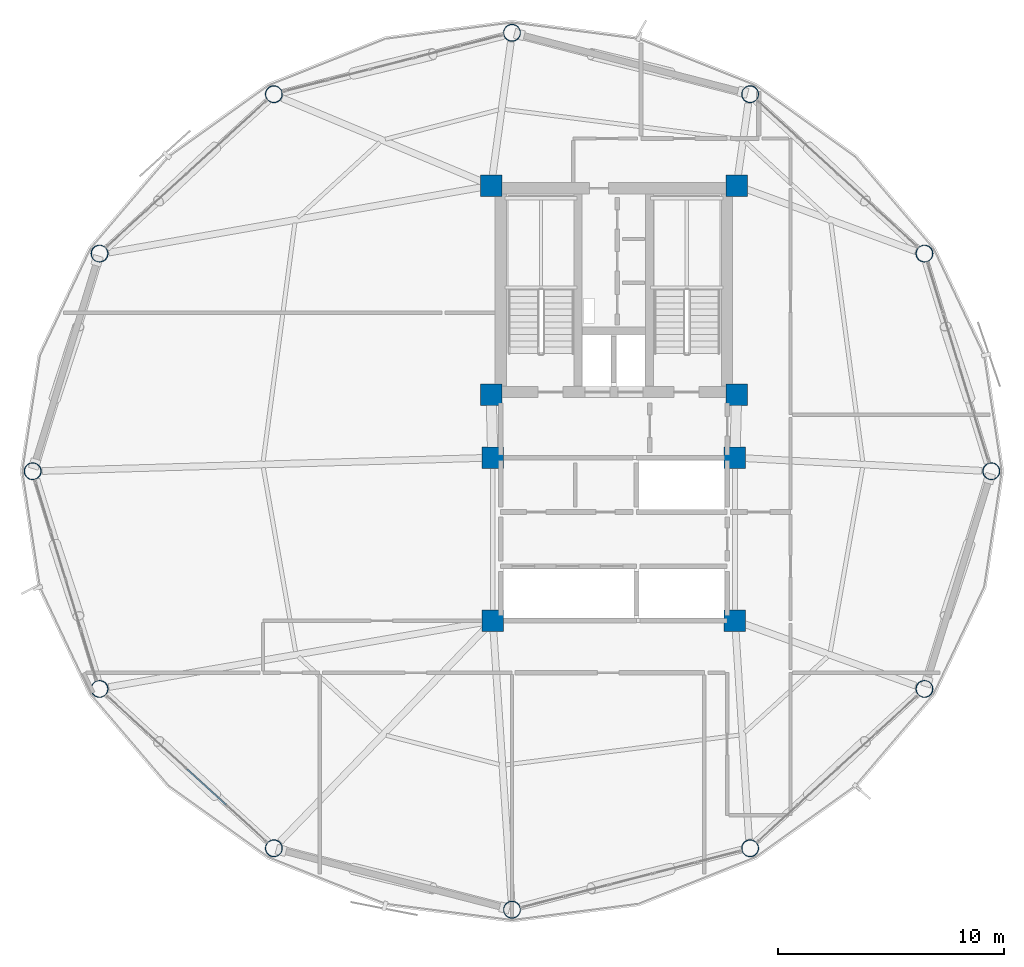
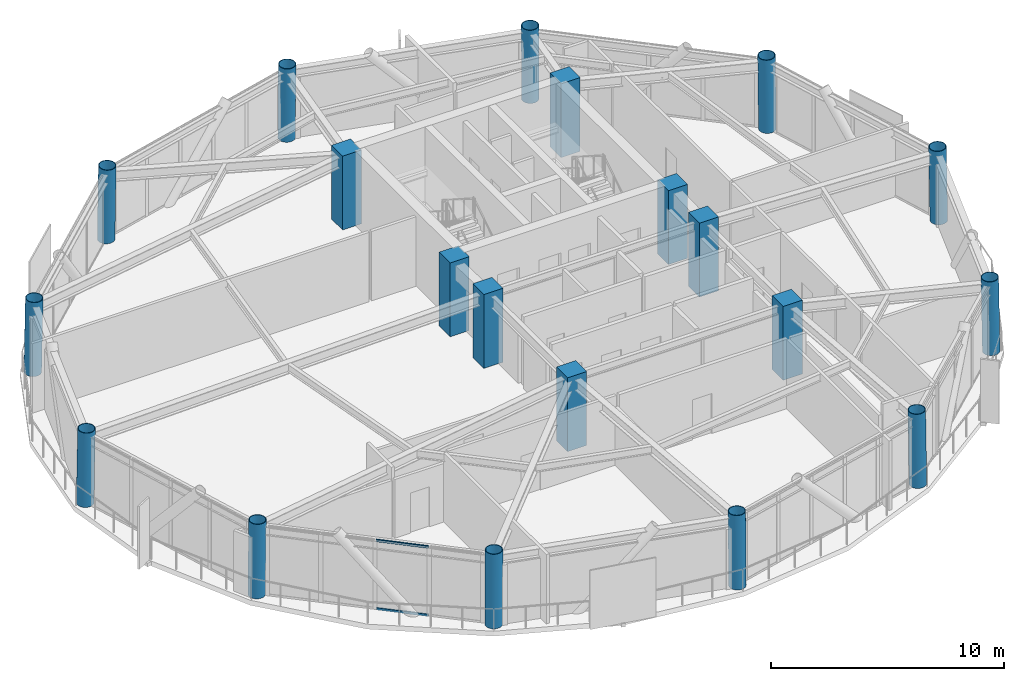
# One storey, part 1 of 25: 20 columns, 2 members, 1 element without a shape of its own.
"""IFC4 building model written with IfcOpenShell, lengths in metres."""

import ifcopenshell
import ifcopenshell.guid

model = None  # the IFC model being written
_history = None  # IfcOwnerHistory: only IFC2X3 demands one
_inside = {}  # id of a spatial element -> (the spatial element, [elements in it])
_under = {}  # id of a project, library or spatial element -> (it, [spatial elements below it])
_declared = {}  # id of a project -> (the project, [libraries it declares])
_typed = {}  # id of a type object -> (the type object, [elements of that type])
_made_of = {}  # id of a material, layer set ... -> (it, [elements and type objects made of it])


def new_model(schema):
    """Start an empty IFC model of exactly this schema.

    Asked for "IFC4X3", IfcOpenShell would pick the latest addendum, in which some entities
    have other attributes; the version numbers below select the first issue.
    IFC2X3 requires an IfcOwnerHistory on every rooted entity: one is made here for all.
    """
    global model, _history
    if schema == "IFC4X3":
        model = ifcopenshell.file(schema_version=(4, 3, 0, 0))
    else:
        model = ifcopenshell.file(schema=schema)
    _inside.clear()
    _under.clear()
    _declared.clear()
    _typed.clear()
    _made_of.clear()
    _history = None
    if model.schema == "IFC2X3":
        org = make("IfcOrganization", Name="unknown")
        user = make(
            "IfcPersonAndOrganization",
            ThePerson=make("IfcPerson", FamilyName="unknown"),
            TheOrganization=org,
        )
        app = make(
            "IfcApplication",
            ApplicationDeveloper=org,
            Version="unknown",
            ApplicationFullName="unknown",
            ApplicationIdentifier="unknown",
        )
        _history = make(
            "IfcOwnerHistory",
            OwningUser=user,
            OwningApplication=app,
            ChangeAction="ADDED",
            CreationDate=0,
        )
    return model


def make(cls, **values):
    """One entity of the class cls with the attributes given. An attribute that is None is left unset."""
    return model.create_entity(
        cls, **{name: value for name, value in values.items() if value is not None}
    )


def rooted(cls, **values):
    """An entity with a GlobalId (a new one), such as an element, a storey or a relation."""
    return make(cls, GlobalId=ifcopenshell.guid.new(), OwnerHistory=_history, **values)


def si_unit(unit_type, name, prefix=None):
    """IfcSIUnit, for example si_unit("LENGTHUNIT", "METRE", prefix="MILLI")."""
    return make("IfcSIUnit", UnitType=unit_type, Prefix=prefix, Name=name)


def assignment(units):
    """IfcUnitAssignment: the units of a project."""
    return None if units is None else make("IfcUnitAssignment", Units=units)


def point(xyz):
    """IfcCartesianPoint."""
    return None if xyz is None else make("IfcCartesianPoint", Coordinates=xyz)


def direction(xyz):
    """IfcDirection."""
    return None if xyz is None else make("IfcDirection", DirectionRatios=xyz)


def frame(location, z_axis=None, x_axis=None):
    """IfcAxis2Placement3D, a coordinate frame: its origin and axes. An axis left out is left unset."""
    return make(
        "IfcAxis2Placement3D",
        Location=point(location),
        Axis=direction(z_axis),
        RefDirection=direction(x_axis),
    )


def frame_2d(location, x_axis=None):
    """IfcAxis2Placement2D, a coordinate frame in the plane: its origin and x axis."""
    return make(
        "IfcAxis2Placement2D", Location=point(location), RefDirection=direction(x_axis)
    )


def origin():
    """The frame at (0, 0, 0) with its axes left unset."""
    return frame((0.0, 0.0, 0.0))


def origin_2d():
    """The frame at (0, 0) in the plane with its x axis left unset."""
    return frame_2d((0.0, 0.0))


def place(relative_to, where):
    """IfcLocalPlacement: puts the frame where relative to a parent placement (None: the world)."""
    return make(
        "IfcLocalPlacement", PlacementRelTo=relative_to, RelativePlacement=where
    )


def context(
    kind, dimensions, precision=None, world=None, true_north=None, identifier=None
):
    """IfcGeometricRepresentationContext, for example the 3D "Model" context."""
    return make(
        "IfcGeometricRepresentationContext",
        ContextIdentifier=identifier,
        ContextType=kind,
        CoordinateSpaceDimension=dimensions,
        Precision=precision,
        WorldCoordinateSystem=world,
        TrueNorth=true_north,
    )


def subcontext(parent, identifier, kind, view, scale=None):
    """IfcGeometricRepresentationSubContext, for example "Body" below "Model"."""
    return make(
        "IfcGeometricRepresentationSubContext",
        ContextIdentifier=identifier,
        ContextType=kind,
        ParentContext=parent,
        TargetScale=scale,
        TargetView=view,
    )


def project(units=None, contexts=None):
    """IfcProject with its units and contexts."""
    return rooted(
        "IfcProject",
        Name="project",
        RepresentationContexts=contexts,
        UnitsInContext=assignment(units),
    )


def spatial(cls, under=None, at=None, **own):
    """A site, building, storey or space (cls), placed at a placement, below another one or the project."""
    s = rooted(cls, ObjectPlacement=at, **own)
    if under is not None:
        _under.setdefault(under.id(), (under, []))[1].append(s)
    return s


def profile(cls, at=None, kind="AREA", **sizes):
    """A parametric profile (cls). Its sizes go by their IFC names, for example OverallWidth=200.0."""
    return make(cls, ProfileType=kind, Position=at, **sizes)


def rectangle(**sizes):
    """IfcRectangleProfileDef."""
    return profile("IfcRectangleProfileDef", **sizes)


def hollow_rectangle(**sizes):
    """IfcRectangleHollowProfileDef."""
    return profile("IfcRectangleHollowProfileDef", **sizes)


def hollow_circle(**sizes):
    """IfcCircleHollowProfileDef."""
    return profile("IfcCircleHollowProfileDef", **sizes)


def extrude(swept, where, along, depth):
    """IfcExtrudedAreaSolid: the profile swept, set in the frame where, extruded along a direction by depth."""
    return make(
        "IfcExtrudedAreaSolid",
        SweptArea=swept,
        Position=where,
        ExtrudedDirection=direction(along),
        Depth=depth,
    )


def shape(context_of_items, identifier, shape_type, items):
    """IfcShapeRepresentation: the items that make up one representation, for example the "Body"."""
    return make(
        "IfcShapeRepresentation",
        ContextOfItems=context_of_items,
        RepresentationIdentifier=identifier,
        RepresentationType=shape_type,
        Items=items,
    )


def material(Name=None, Category=None):
    """IfcMaterial."""
    return make("IfcMaterial", Name=Name, Category=Category)


def layer(
    of_material, thickness, ventilated=None, Name=None, Category=None, Priority=None
):
    """IfcMaterialLayer: one layer of a wall or slab, of a material (None: an air gap)."""
    return make(
        "IfcMaterialLayer",
        Material=of_material,
        LayerThickness=thickness,
        IsVentilated=ventilated,
        Name=Name,
        Category=Category,
        Priority=Priority,
    )


def layer_set(layers, Name=None):
    """IfcMaterialLayerSet."""
    return make("IfcMaterialLayerSet", MaterialLayers=layers, LayerSetName=Name)


def material_profile(
    of_material, cross_section, Name=None, Category=None, Priority=None
):
    """IfcMaterialProfile: a cross section and its material."""
    return make(
        "IfcMaterialProfile",
        Name=Name,
        Material=of_material,
        Profile=cross_section,
        Priority=Priority,
        Category=Category,
    )


def profile_set(profiles, Name=None, composite=None):
    """IfcMaterialProfileSet."""
    return make(
        "IfcMaterialProfileSet",
        Name=Name,
        MaterialProfiles=profiles,
        CompositeProfile=composite,
    )


def made_of(thing, what):
    """Note that an element or type object is made of a material, layer set ...; save() writes the relation."""
    if what is not None:
        _made_of.setdefault(what.id(), (what, []))[1].append(thing)
    return thing


def type_object(cls, material=None, **own):
    """A type object (cls), such as IfcWallType, which elements share."""
    return made_of(rooted(cls, **own), material)


def element(
    cls,
    number,
    at=None,
    inside=None,
    cuts=None,
    type_object=None,
    material=None,
    context=None,
    identifier="Body",
    shape_type=None,
    held_by="IfcProductDefinitionShape",
    body=None,
    shapes=None,
    **own,
):
    """One element of the class cls, such as IfcWall. Its Tag is "e" and its number.

    at: its placement. inside: the storey or other place that contains it. cuts: it is an
    opening in that element (IfcRelVoidsElement). A single representation is given by context,
    identifier, shape_type and body (its items); several are given by shapes. held_by: the class
    of the entity that holds the representations. save() writes the other relations.
    """
    e = rooted(cls, Tag="e%d" % number, ObjectPlacement=at, **own)
    if body is not None:
        shapes = [shape(context, identifier, shape_type, body)]
    if shapes is not None:
        e.Representation = make(held_by, Representations=shapes)
    if inside is not None:
        _inside.setdefault(inside.id(), (inside, []))[1].append(e)
    if cuts is not None:
        rooted(
            "IfcRelVoidsElement", RelatingBuildingElement=cuts, RelatedOpeningElement=e
        )
    if type_object is not None:
        _typed.setdefault(type_object.id(), (type_object, []))[1].append(e)
    return made_of(e, material)


def aggregate(whole, parts):
    """IfcRelAggregates: a whole, such as a stair, and the parts it consists of."""
    return rooted("IfcRelAggregates", RelatingObject=whole, RelatedObjects=parts)


def save(model, path):
    """Write the relations noted so far, then the file.

    IfcRelAggregates (storeys below a building ...), IfcRelContainedInSpatialStructure (elements
    in a storey), IfcRelDefinesByType, IfcRelAssociatesMaterial and IfcRelDeclares: one each for
    every whole, place, type object, material and project.
    """
    for whole, parts in _under.values():
        aggregate(whole, parts)
    for where, things in _inside.values():
        rooted(
            "IfcRelContainedInSpatialStructure",
            RelatedElements=things,
            RelatingStructure=where,
        )
    for kind, things in _typed.values():
        rooted("IfcRelDefinesByType", RelatedObjects=things, RelatingType=kind)
    for what, things in _made_of.values():
        rooted("IfcRelAssociatesMaterial", RelatedObjects=things, RelatingMaterial=what)
    for by, libraries in _declared.values():
        rooted("IfcRelDeclares", RelatingContext=by, RelatedDefinitions=libraries)
    model.write(path)


model = new_model("IFC4")

# Units and contexts
model_context = context("Model", 3, precision=1e-05, world=origin(), true_north=direction((0.0, 1.0)))
body_context = subcontext(model_context, "Body", "Model", "MODEL_VIEW")
ifc_project = project(units=[si_unit("LENGTHUNIT", "METRE"), si_unit("AREAUNIT", "SQUARE_METRE"), si_unit("VOLUMEUNIT", "CUBIC_METRE"), si_unit("PLANEANGLEUNIT", "RADIAN"), si_unit("MASSUNIT", "GRAM", prefix="KILO")], contexts=[model_context])

# Site, building, storey
site_placement = place(None, origin())
site = spatial("IfcSite", under=ifc_project, at=site_placement, CompositionType="ELEMENT")
building_placement = place(site_placement, origin())
building = spatial("IfcBuilding", under=site, at=building_placement, Name="Varnakorn Sky Granary", CompositionType="ELEMENT")
storey_placement = place(building_placement, frame((0.0, 0.0, 126.60009765625)))
storey = spatial("IfcBuildingStorey", under=building, at=storey_placement, Name="L31", CompositionType="ELEMENT", Elevation=126.60009765625)

# Columns
ifc_material_1 = material(Name="Steel S460M", Category="steel")
ifc_material_profile_1 = material_profile(ifc_material_1, hollow_circle(Radius=0.381103515625, WallThickness=0.028076171875, at=origin_2d()), Name="CHS 762x28")
ifc_profile_set_1 = profile_set([ifc_material_profile_1], Name="Steel S460M")
column_type_1 = type_object("IfcColumnType", Name="COL-DC-Z3", PredefinedType="COLUMN", material=ifc_profile_set_1)
for number, where, z_axis, x_axis, name in (
    (1, (19.68310546875, 0.0, 0.0), (-0.017071604527, 0.0, 0.999854269541), (0.0, -1.0, 0.0), "Drum Perimeter Column DC01 L31"),
    (2, (16.72802734375, 9.619384765625, 0.0), (-0.014741060664, -0.006173606603, 0.999872285701), (0.386294084798, -0.922375671866, 0.0), "Drum Perimeter Column DC02 L31"),
):
    element("IfcColumn", number, at=place(storey_placement, frame(where, z_axis=z_axis, x_axis=x_axis)), inside=storey, type_object=column_type_1, Name=name, PredefinedType="COLUMN", context=body_context, shape_type="SweptSolid", body=[
        extrude(hollow_circle(Radius=0.381103515625, WallThickness=0.028076171875, at=origin_2d()), origin(), (0.0, 0.0, 1.0), 3.87548828125),
    ])
for number, where, z_axis, x_axis, name in (
    (3, (9.02392578125, 16.66162109375, 0.0), (-0.008504743175, -0.010772674688, 0.999905804975), (0.784882765533, -0.619644288579, 0.0), "Drum Perimeter Column DC03 L31"),
    (4, (-1.5, 19.3740234375, 0.0), (0.0, -0.01241083843, 0.999922982579), (1.0, 0.0, 0.0), "Drum Perimeter Column DC04 L31"),
    (5, (-12.02392578125, 16.66162109375, 0.0), (0.008504743175, -0.010772674688, 0.999905804975), (0.784882765533, 0.619644288579, 0.0), "Drum Perimeter Column DC05 L31"),
):
    element("IfcColumn", number, at=place(storey_placement, frame(where, z_axis=z_axis, x_axis=x_axis)), inside=storey, type_object=column_type_1, Name=name, PredefinedType="COLUMN", context=body_context, shape_type="SweptSolid", body=[
        extrude(hollow_circle(Radius=0.381103515625, WallThickness=0.028076171875, at=origin_2d()), origin(), (0.0, 0.0, 1.0), 3.875244140625),
    ])
for number, where, z_axis, x_axis, name in (
    (6, (-19.72802734375, 9.619384765625, 0.0), (0.014741060664, -0.006173606603, 0.999872285701), (0.386294084798, 0.922375671866, 0.0), "Drum Perimeter Column DC06 L31"),
    (7, (-22.68310546875, 0.0, 0.0), (0.017071604527, 0.0, 0.999854269541), (0.0, 1.0, 0.0), "Drum Perimeter Column DC07 L31"),
    (8, (-19.72802734375, -9.619384765625, 0.0), (0.014741060664, 0.006173606603, 0.999872285701), (-0.386294084798, 0.922375671866, 0.0), "Drum Perimeter Column DC08 L31"),
):
    element("IfcColumn", number, at=place(storey_placement, frame(where, z_axis=z_axis, x_axis=x_axis)), inside=storey, type_object=column_type_1, Name=name, PredefinedType="COLUMN", context=body_context, shape_type="SweptSolid", body=[
        extrude(hollow_circle(Radius=0.381103515625, WallThickness=0.028076171875, at=origin_2d()), origin(), (0.0, 0.0, 1.0), 3.87548828125),
    ])
for number, where, z_axis, x_axis, name in (
    (9, (-12.02392578125, -16.66162109375, 0.0), (0.008504743175, 0.010772674688, 0.999905804975), (-0.784882765533, 0.619644288579, 0.0), "Drum Perimeter Column DC09 L31"),
    (10, (-1.5, -19.3740234375, 0.0), (0.0, 0.01241083843, 0.999922982579), (-1.0, 0.0, 0.0), "Drum Perimeter Column DC10 L31"),
    (11, (9.02392578125, -16.66162109375, 0.0), (-0.008504743175, 0.010772674688, 0.999905804975), (-0.784882765533, -0.619644288579, 0.0), "Drum Perimeter Column DC11 L31"),
):
    element("IfcColumn", number, at=place(storey_placement, frame(where, z_axis=z_axis, x_axis=x_axis)), inside=storey, type_object=column_type_1, Name=name, PredefinedType="COLUMN", context=body_context, shape_type="SweptSolid", body=[
        extrude(hollow_circle(Radius=0.381103515625, WallThickness=0.028076171875, at=origin_2d()), origin(), (0.0, 0.0, 1.0), 3.875244140625),
    ])
column_placement = place(storey_placement, frame((16.72802734375, -9.619384765625, 0.0), z_axis=(-0.014741060664, 0.006173606603, 0.999872285701), x_axis=(-0.386294084798, -0.922375671866, 0.0)))
element("IfcColumn", 12, at=column_placement, inside=storey, type_object=column_type_1, Name="Drum Perimeter Column DC12 L31", PredefinedType="COLUMN", context=body_context, shape_type="SweptSolid", body=[
    extrude(hollow_circle(Radius=0.381103515625, WallThickness=0.028076171875, at=origin_2d()), origin(), (0.0, 0.0, 1.0), 3.87548828125),
])
ifc_material_2 = material(Name="Concrete C50/60", Category="concrete")
ifc_material_profile_2 = material_profile(ifc_material_2, rectangle(XDim=0.949951171875, YDim=0.949951171875, at=origin_2d()), Name="RC 950x950")
ifc_profile_set_2 = profile_set([ifc_material_profile_2], Name="Concrete C50/60")
column_type_2 = type_object("IfcColumnType", Name="COL-MC-Z3", PredefinedType="COLUMN", material=ifc_profile_set_2)
for number, where, z_axis, x_axis, name in (
    (13, (-2.419921875, 12.6201171875, 0.0), (0.0, 0.0, 1.0), (1.0, 0.0, 0.0), "Backbone Mega-Column MC1 L31"),
    (14, (8.419921875, 12.6201171875, 0.0), (0.0, 0.0, 1.0), (1.0, 0.0, 0.0), "Backbone Mega-Column MC2 L31"),
    (15, (-2.419921875, 3.3798828125, 0.0), (0.0, 0.0, 1.0), (1.0, 0.0, 0.0), "Backbone Mega-Column MC3 L31"),
    (16, (8.419921875, 3.3798828125, 0.0), (0.0, 0.0, 1.0), (1.0, 0.0, 0.0), "Backbone Mega-Column MC4 L31"),
    (17, (-2.35009765625, 0.60009765625, 0.0), (0.0, 0.0, 1.0), (1.0, 0.0, 0.0), "Backbone Mega-Column MC5 L31"),
    (18, (8.35009765625, 0.60009765625, 0.0), (0.0, 0.0, 1.0), (1.0, 0.0, 0.0), "Backbone Mega-Column MC6 L31"),
    (19, (-2.35009765625, -6.60009765625, 0.0), (0.0, 0.0, 1.0), (1.0, 0.0, 0.0), "Backbone Mega-Column MC7 L31"),
    (20, (8.35009765625, -6.60009765625, 0.0), (0.0, 0.0, 1.0), (1.0, 0.0, 0.0), "Backbone Mega-Column MC8 L31"),
):
    element("IfcColumn", number, at=place(storey_placement, frame(where, z_axis=z_axis, x_axis=x_axis)), inside=storey, type_object=column_type_2, Name=name, PredefinedType="COLUMN", context=body_context, shape_type="SweptSolid", body=[
        extrude(rectangle(XDim=0.949951171875, YDim=0.949951171875, at=origin_2d()), origin(), (0.0, 0.0, 1.0), 3.875),
    ])

# Curtain wall, members
ifc_material_3 = material(Name="Anodised Bronze Aluminium Alloy 6063-T6", Category="aluminium")
ifc_layer = layer(ifc_material_3, 0.179931640625, Name="Anodised Bronze Aluminium Alloy 6063-T6")
ifc_layer_set = layer_set([ifc_layer], Name="Anodised Bronze Aluminium Alloy 6063-T6")
curtain_wall_type = type_object("IfcCurtainWallType", Name="CW-FRM-2", PredefinedType="USERDEFINED", material=ifc_layer_set)
curtain_wall_placement = place(storey_placement, origin())
curtain_wall = element("IfcCurtainWall", 21, at=curtain_wall_placement, inside=storey, type_object=curtain_wall_type, Name="Unitised Curtain Wall CW4 CW-L31-B08", ObjectType="CURTAIN WALL", PredefinedType="USERDEFINED")
ifc_material_profile_3 = material_profile(ifc_material_3, hollow_rectangle(XDim=0.06494140625, YDim=0.1201171875, WallThickness=0.00341796875, at=origin_2d()), Name="ALU TRAN 65x120")
ifc_profile_set_3 = profile_set([ifc_material_profile_3], Name="Anodised Bronze Aluminium Alloy 6063-T6")
member_type = type_object("IfcMemberType", Name="CW-FRM-2-TRAN", PredefinedType="USERDEFINED", material=ifc_profile_set_3)
member_1_placement = place(storey_placement, frame((-14.138671875, -14.728515625, 0.032470703125), z_axis=(-0.73808873451, 0.674703653458, 0.0), x_axis=(-0.674703653458, -0.73808873451, 0.0)))
member_1 = element("IfcMember", 22, at=member_1_placement, type_object=member_type, Name="CW4 transom 2.1", ObjectType="TRANSOM", PredefinedType="USERDEFINED", context=body_context, shape_type="SweptSolid", body=[
    extrude(hollow_rectangle(XDim=0.06494140625, YDim=0.1201171875, WallThickness=0.00341796875, at=origin_2d()), origin(), (0.0, 0.0, 1.0), 2.31884765625),
])
member_2_placement = place(storey_placement, frame((-14.138671875, -14.728515625, 3.607421875), z_axis=(-0.73808873451, 0.674703653458, 0.0), x_axis=(-0.674703653458, -0.73808873451, 0.0)))
member_2 = element("IfcMember", 23, at=member_2_placement, type_object=member_type, Name="CW4 transom 2.2", ObjectType="TRANSOM", PredefinedType="USERDEFINED", context=body_context, shape_type="SweptSolid", body=[
    extrude(hollow_rectangle(XDim=0.06494140625, YDim=0.1201171875, WallThickness=0.00341796875, at=origin_2d()), origin(), (0.0, 0.0, 1.0), 2.31884765625),
])
aggregate(curtain_wall, [member_1, member_2])

save(model, "model.ifc")
